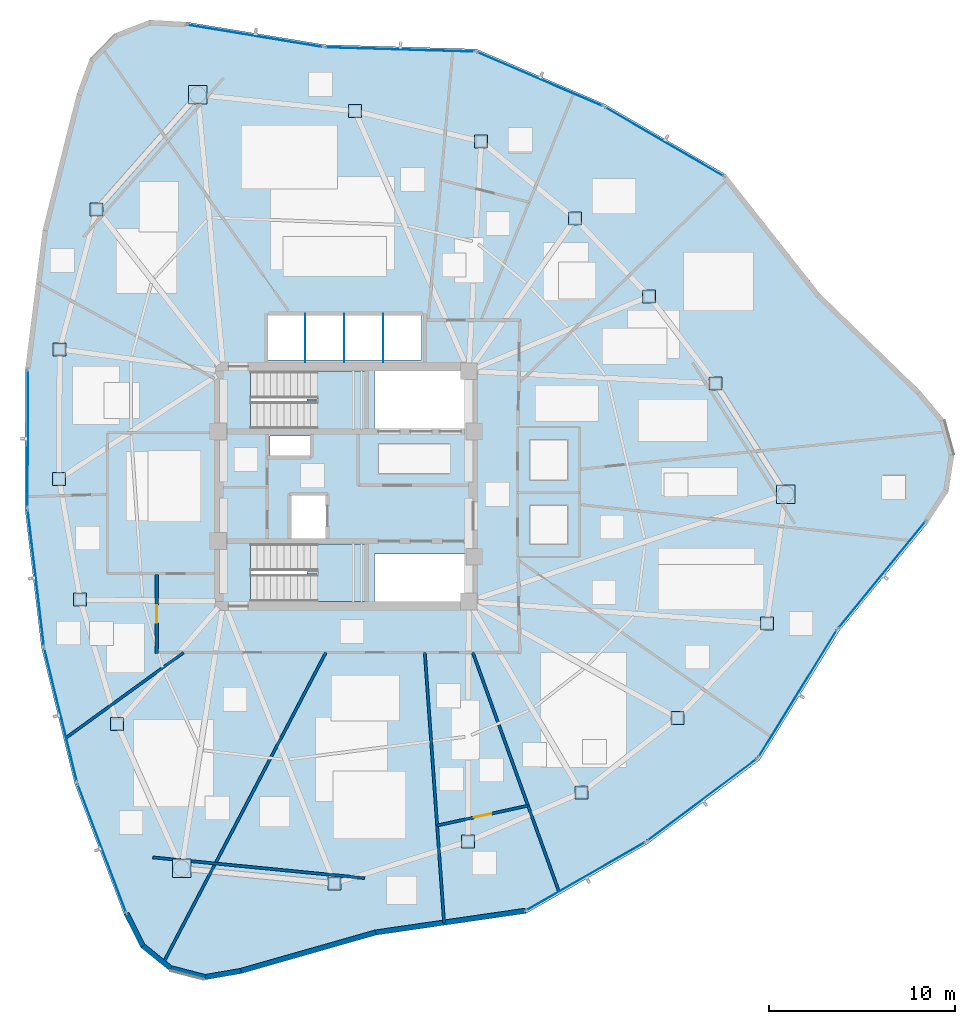
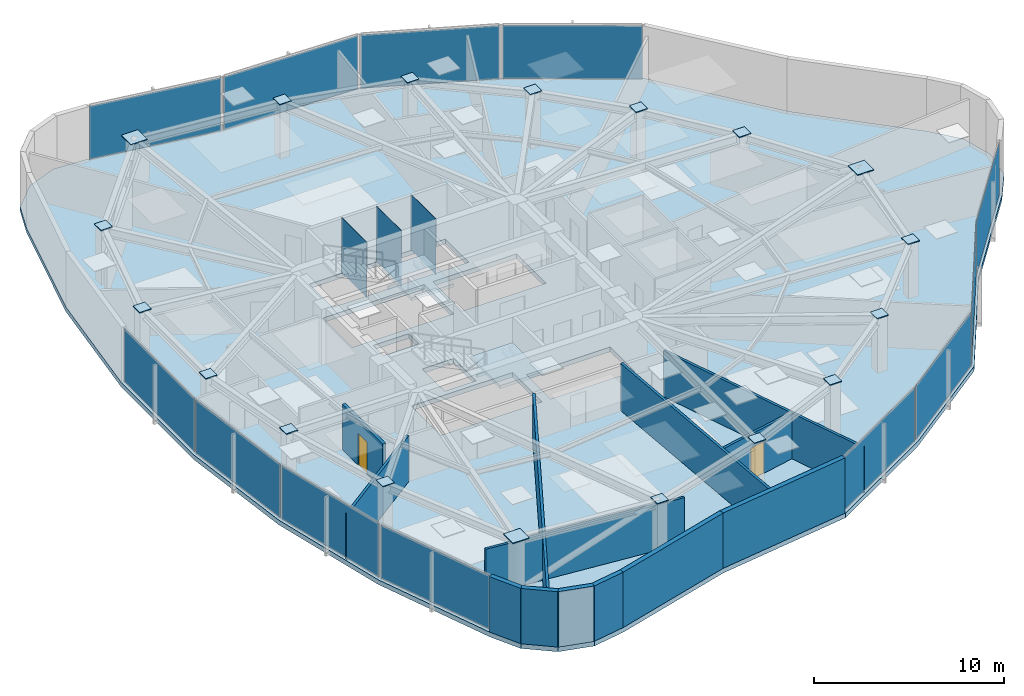
# One storey, part 11 of 18: 33 plates, 13 walls, 3 slabs, 2 doors, 2 openings, 14 elements without a shape of their own.
"""IFC4 building model written with IfcOpenShell, lengths in metres."""

from ifc_helpers import new_model, si_unit, direction, frame, frame_2d, origin, origin_2d, place, context, subcontext, project, spatial, polyline, rectangle, outline, extrude, source, transform, mapped, material, layer, layer_set, type_object, type_shapes, element, fill, aggregate, save


model = new_model("IFC4")

# Units and contexts
model_context = context("Model", 3, precision=1e-05, world=origin(), true_north=direction((0.0, 1.0)))
body_context = subcontext(model_context, "Body", "Model", "MODEL_VIEW")
ifc_project = project(units=[si_unit("LENGTHUNIT", "METRE"), si_unit("AREAUNIT", "SQUARE_METRE"), si_unit("VOLUMEUNIT", "CUBIC_METRE"), si_unit("PLANEANGLEUNIT", "RADIAN"), si_unit("MASSUNIT", "GRAM", prefix="KILO")], contexts=[model_context])

# Site, building, storey
site_placement = place(None, origin())
site = spatial("IfcSite", under=ifc_project, at=site_placement, CompositionType="ELEMENT")
building_placement = place(site_placement, origin())
building = spatial("IfcBuilding", under=site, at=building_placement, Name="Tavelor Broadcast Tower", CompositionType="ELEMENT")
storey_placement = place(building_placement, frame((0.0, 0.0, 173.35009765625)))
storey = spatial("IfcBuildingStorey", under=building, at=storey_placement, Name="L41", CompositionType="ELEMENT", Elevation=173.35009765625)

# Stair, slab
ifc_material_1 = material(Name="Concrete C40/50", Category="concrete")
stair_type = type_object("IfcStairType", Name="Reinforced Concrete Protected Dogleg Stair 1450 mm", PredefinedType="HALF_TURN_STAIR", material=ifc_material_1)
stair_1_placement = place(storey_placement, origin())
stair_1 = element("IfcStair", 1, at=stair_1_placement, inside=storey, type_object=stair_type, Name="L41 Protected Core Exit Stair ST1", PredefinedType="HALF_TURN_STAIR")
ifc_layer_1 = layer(ifc_material_1, 0.199951171875)
ifc_layer_set_1 = layer_set([ifc_layer_1], Name="Concrete C40/50")
slab_type_1 = type_object("IfcSlabType", Name="Reinforced Concrete Stair Half-Landing Slab 200 mm", PredefinedType="LANDING", material=ifc_layer_set_1)
slab_1_placement = place(storey_placement, frame((0.0, 0.0, 1.724853515625)))
slab_1 = element("IfcSlab", 2, at=slab_1_placement, type_object=slab_type_1, Name="ST1 landing 1", PredefinedType="LANDING", context=body_context, shape_type="SweptSolid", body=[
    extrude(outline(polyline([(48.445068359375, 49.590087890625), (48.445068359375, 48.094970703125), (51.0048828125, 48.094970703125), (51.0048828125, 51.205078125), (48.445068359375, 51.205078125), (48.445068359375, 49.7099609375), (47.905029296875, 49.7099609375), (47.905029296875, 49.590087890625), (48.445068359375, 49.590087890625)])), origin(), (0.0, 0.0, 1.0), 0.199951171875),
])
aggregate(stair_1, [slab_1])

stair_2_placement = place(storey_placement, origin())
stair_2 = element("IfcStair", 3, at=stair_2_placement, inside=storey, type_object=stair_type, Name="L41 Protected Core Exit Stair ST2", PredefinedType="HALF_TURN_STAIR")
slab_2_placement = place(storey_placement, frame((0.0, 0.0, 1.724853515625)))
slab_2 = element("IfcSlab", 4, at=slab_2_placement, type_object=slab_type_1, Name="ST2 landing 1", PredefinedType="LANDING", context=body_context, shape_type="SweptSolid", body=[
    extrude(outline(polyline([(48.445068359375, 40.2900390625), (48.445068359375, 38.794921875), (51.0048828125, 38.794921875), (51.0048828125, 41.905029296875), (48.445068359375, 41.905029296875), (48.445068359375, 40.409912109375), (47.905029296875, 40.409912109375), (47.905029296875, 40.2900390625), (48.445068359375, 40.2900390625)])), origin(), (0.0, 0.0, 1.0), 0.199951171875),
])
aggregate(stair_2, [slab_2])

# Slab
ifc_layer_2 = layer(ifc_material_1, 0.300048828125)
ifc_layer_set_2 = layer_set([ifc_layer_2], Name="Concrete C40/50")
slab_type_2 = type_object("IfcSlabType", Name="Tower Composite Floor Slab 300 mm", PredefinedType="FLOOR", material=ifc_layer_set_2)
slab_3_placement = place(storey_placement, frame((0.0, 0.0, -0.300048828125)))
element("IfcSlab", 5, at=slab_3_placement, inside=storey, type_object=slab_type_2, Name="L41 Structural Floor Slab", PredefinedType="FLOOR", context=body_context, shape_type="SweptSolid", body=[
    extrude(outline(polyline([(41.39990234375, 70.001220703125), (39.42236328125, 70.110107421875), (37.5751953125, 69.3955078125), (36.185791015625, 67.98388671875), (35.50048828125, 66.1259765625), (33.6669921875, 58.81396484375), (32.731689453125, 51.333740234375), (32.708740234375, 43.79541015625), (33.59814453125, 36.309814453125), (35.38671875, 28.986572265625), (38.048583984375, 21.933837890625), (38.943115234375, 20.166748046875), (40.4853515625, 18.924560546875), (42.40234375, 18.427001953125), (44.354248046875, 18.76220703125), (51.603271484375, 20.83056640625), (59.701904296875, 22.005615234375), (66.24169921875, 25.754638671875), (72.27978515625, 30.267822265625), (76.57470703125, 37.233642578125), (81.351806640625, 43.065185546875), (82.434814453125, 44.72314453125), (82.739501953125, 46.68017578125), (82.2119140625, 48.589111328125), (80.9453125, 50.11181640625), (75.52978515625, 55.355712890625), (70.462890625, 61.781494140625), (63.946044921875, 65.57080078125), (57.0185546875, 68.54345703125), (48.838623046875, 68.77978515625), (41.39990234375, 70.001220703125)]), holes=[polyline([(56.60009765625, 41.35009765625), (56.60009765625, 38.800048828125), (51.52001953125, 38.800048828125), (51.52001953125, 41.35009765625), (56.60009765625, 41.35009765625)]), polyline([(50.99609375, 38.803955078125), (44.85400390625, 38.803955078125), (44.85400390625, 41.89599609375), (50.99609375, 41.89599609375), (50.99609375, 38.803955078125)]), polyline([(47.050048828125, 42.199951171875), (47.050048828125, 44.550048828125), (48.949951171875, 44.550048828125), (48.949951171875, 42.199951171875), (47.050048828125, 42.199951171875)]), polyline([(48.050048828125, 46.64990234375), (45.89990234375, 46.64990234375), (45.89990234375, 47.699951171875), (48.050048828125, 47.699951171875), (48.050048828125, 46.64990234375)]), polyline([(50.99609375, 48.10400390625), (44.85400390625, 48.10400390625), (44.85400390625, 51.196044921875), (50.99609375, 51.196044921875), (50.99609375, 48.10400390625)]), polyline([(56.60009765625, 48.10009765625), (51.52001953125, 48.10009765625), (51.52001953125, 51.199951171875), (56.60009765625, 51.199951171875), (56.60009765625, 48.10009765625)]), polyline([(54.050048828125, 51.800048828125), (45.800048828125, 51.800048828125), (45.800048828125, 54.25), (54.050048828125, 54.25), (54.050048828125, 51.800048828125)])]), origin(), (0.0, 0.0, 1.0), 0.300048828125),
])

# Plates
ifc_material_2 = material(Name="Steel S460", Category="steel")
ifc_layer_3 = layer(ifc_material_2, 0.050048828125)
ifc_layer_set_3 = layer_set([ifc_layer_3], Name="Steel S460")
plate_type_1 = type_object("IfcPlateType", Name="Tube Hollow-End Cap Plate KN05 700x700x50", PredefinedType="USERDEFINED", material=ifc_layer_set_3)
shared_shape_1 = source(origin(), body_context, "Body", "SweptSolid", [
    extrude(rectangle(XDim=0.699951171875, YDim=0.699951171875, at=origin_2d()), origin(), (0.0, 0.0, 1.0), 0.054931640625),
])
for number, where, z_axis, x_axis, name in (
    (6, (36.567626953125, 59.91064453125, 3.5224609375), (0.0, 0.0, 1.0), (1.0, 0.0, 0.0), "L41 Hollow End Cap Plate KN05 #1180"),
    (7, (34.5751953125, 52.37939453125, 3.5224609375), (0.0, 0.0, 1.0), (1.0, 0.0, 0.0), "L41 Hollow End Cap Plate KN05 #1181"),
    (8, (34.54638671875, 45.399169921875, 3.5224609375), (0.0, 0.0, 1.0), (1.0, 0.0, 0.0), "L41 Hollow End Cap Plate KN05 #1182"),
    (9, (35.680908203125, 38.89990234375, 3.5224609375), (0.0, 0.0, 1.0), (1.0, 0.0, 0.0), "L41 Hollow End Cap Plate KN05 #1183"),
    (10, (37.668212890625, 32.1904296875, 3.5224609375), (0.0, 0.0, 1.0), (1.0, 0.0, 0.0), "L41 Hollow End Cap Plate KN05 #1184"),
    (11, (49.366455078125, 23.618896484375, 3.5224609375), (0.0, 0.0, 1.0), (1.0, 0.0, 0.0), "L41 Hollow End Cap Plate KN05 #1186"),
    (12, (56.56103515625, 25.872802734375, 3.5224609375), (0.0, 0.0, 1.0), (1.0, 0.0, 0.0), "L41 Hollow End Cap Plate KN05 #1187"),
    (13, (62.669189453125, 28.503173828125, 3.5224609375), (0.0, 0.0, 1.0), (1.0, 0.0, 0.0), "L41 Hollow End Cap Plate KN05 #1188"),
    (14, (67.84228515625, 32.53173828125, 3.5224609375), (0.0, 0.0, 1.0), (1.0, 0.0, 0.0), "L41 Hollow End Cap Plate KN05 #1189"),
    (15, (72.6591796875, 37.607421875, 3.5224609375), (0.0, 0.0, 1.0), (1.0, 0.0, 0.0), "L41 Hollow End Cap Plate KN05 #1190"),
    (16, (69.885986328125, 50.544189453125, 3.5224609375), (0.0, 0.0, 1.0), (1.0, 0.0, 0.0), "L41 Hollow End Cap Plate KN05 #1192"),
    (17, (66.322021484375, 55.228759765625, 3.5224609375), (0.0, 0.0, 1.0), (1.0, 0.0, 0.0), "L41 Hollow End Cap Plate KN05 #1193"),
    (18, (62.330810546875, 59.416259765625, 3.5224609375), (0.0, 0.0, 1.0), (1.0, 0.0, 0.0), "L41 Hollow End Cap Plate KN05 #1194"),
    (19, (57.276611328125, 63.568359375, 3.5224609375), (0.0, 0.0, 1.0), (1.0, 0.0, 0.0), "L41 Hollow End Cap Plate KN05 #1195"),
    (20, (50.472412109375, 65.2021484375, 3.5224609375), (0.0, 0.0, 1.0), (1.0, 0.0, 0.0), "L41 Hollow End Cap Plate KN05 #1196"),
):
    element("IfcPlate", number, at=place(storey_placement, frame(where, z_axis=z_axis, x_axis=x_axis)), inside=storey, type_object=plate_type_1, Name=name, ObjectType="CAP PLATE", PredefinedType="USERDEFINED", context=body_context, shape_type="MappedRepresentation", body=[
        mapped(shared_shape_1, transform((0.0, 0.0, 0.0), scale=1.0)),
    ])
shared_shape_2 = source(origin(), body_context, "Body", "SweptSolid", [
    extrude(rectangle(XDim=0.993896484375, YDim=0.993896484375, at=origin_2d()), origin(), (0.0, 0.0, 1.0), 0.054931640625),
])
type_shapes(plate_type_1, [shared_shape_1, shared_shape_2])
for number, where, z_axis, x_axis, name in (
    (21, (42.01123046875, 66.080078125, 3.5224609375), (0.0, 0.0, 1.0), (1.0, 0.0, 0.0), "L41 Hollow End Cap Plate KN05 #1179"),
    (22, (41.138671875, 24.423828125, 3.5224609375), (0.0, 0.0, 1.0), (1.0, 0.0, 0.0), "L41 Hollow End Cap Plate KN05 #1185"),
    (23, (73.676025390625, 44.57958984375, 3.5224609375), (0.0, 0.0, 1.0), (1.0, 0.0, 0.0), "L41 Hollow End Cap Plate KN05 #1191"),
):
    element("IfcPlate", number, at=place(storey_placement, frame(where, z_axis=z_axis, x_axis=x_axis)), inside=storey, type_object=plate_type_1, Name=name, ObjectType="CAP PLATE", PredefinedType="USERDEFINED", context=body_context, shape_type="MappedRepresentation", body=[
        mapped(shared_shape_2, transform((0.0, 0.0, 0.0), scale=1.0)),
    ])
ifc_material_3 = material(Name="Steel S355", Category="steel")
ifc_layer_4 = layer(ifc_material_3, 0.011962890625)
ifc_layer_set_4 = layer_set([ifc_layer_4], Name="Steel S355")
plate_type_2 = type_object("IfcPlateType", Name="Hoistway Steel Separator Screen 12 mm", PredefinedType="SHEET", material=ifc_layer_set_4)
shared_shape_3 = source(origin(), body_context, "Body", "SweptSolid", [
    extrude(rectangle(XDim=0.02001953125, YDim=2.6201171875, at=origin_2d()), origin(), (0.0, 0.0, 1.0), 3.550048828125),
])
type_shapes(plate_type_2, [shared_shape_3])
for number, where, z_axis, x_axis, name in (
    (24, (47.800048828125, 52.989990234375, 0.0), (0.0, 0.0, 1.0), (1.0, 0.0, 0.0), "L41 High-Rise Hoistway Separator Screen 1"),
    (25, (49.89990234375, 52.989990234375, 0.0), (0.0, 0.0, 1.0), (1.0, 0.0, 0.0), "L41 High-Rise Hoistway Separator Screen 2"),
    (26, (52.0, 52.989990234375, 0.0), (0.0, 0.0, 1.0), (1.0, 0.0, 0.0), "L41 High-Rise Hoistway Separator Screen 3"),
):
    element("IfcPlate", number, at=place(storey_placement, frame(where, z_axis=z_axis, x_axis=x_axis)), inside=storey, type_object=plate_type_2, Name=name, PredefinedType="SHEET", context=body_context, shape_type="MappedRepresentation", body=[
        mapped(shared_shape_3, transform((0.0, 0.0, 0.0), scale=1.0)),
    ])

# Curtain wall, plate
ifc_material_4 = material(Name="Architectural Anodized Aluminium", Category="aluminium")
ifc_layer_5 = layer(ifc_material_4, 0.18994140625)
ifc_layer_set_5 = layer_set([ifc_layer_5], Name="Architectural Anodized Aluminium")
curtain_wall_type = type_object("IfcCurtainWallType", Name="Tower Mid-Zone Acoustic Curtain Wall CW03", PredefinedType="NOTDEFINED", material=ifc_layer_set_5)
curtain_wall_1_placement = place(storey_placement, origin())
curtain_wall_1 = element("IfcCurtainWall", 27, at=curtain_wall_1_placement, inside=storey, type_object=curtain_wall_type, Name="L41 Curtain Wall CW03 Run 440", PredefinedType="NOTDEFINED")
ifc_material_5 = material(Name="Solar Control Double Glazing 30 mm", Category="glass")
ifc_layer_6 = layer(ifc_material_5, 0.030029296875)
ifc_layer_set_6 = layer_set([ifc_layer_6], Name="Solar Control Double Glazing 30 mm")
plate_type_3 = type_object("IfcPlateType", Name="CW03 Insulated Vision Glazing Panel 30 mm", PredefinedType="CURTAIN_PANEL", material=ifc_layer_set_6)
shared_shape_4 = source(origin(), body_context, "Body", "SweptSolid", [
    extrude(rectangle(XDim=7.38916015625, YDim=0.030029296875, at=origin_2d()), origin(), (0.0, 0.0, 1.0), 3.4140625),
])
plate_1_placement = place(storey_placement, frame((78.854248046875, 40.2373046875, 0.06787109375), z_axis=(0.0, 0.0, 1.0), x_axis=(0.633700809689, 0.773578233794, 0.0)))
plate_1 = element("IfcPlate", 28, at=plate_1_placement, type_object=plate_type_3, Name="CW03 panel 1.1", PredefinedType="CURTAIN_PANEL", context=body_context, shape_type="MappedRepresentation", body=[
    mapped(shared_shape_4, transform((0.0, 0.0, 0.0), scale=1.0)),
])
aggregate(curtain_wall_1, [plate_1])

curtain_wall_2_placement = place(storey_placement, origin())
curtain_wall_2 = element("IfcCurtainWall", 29, at=curtain_wall_2_placement, inside=storey, type_object=curtain_wall_type, Name="L41 Curtain Wall CW03 Run 444", PredefinedType="NOTDEFINED")
plate_2_placement = place(storey_placement, frame((45.097412109375, 69.252197265625, 0.06787109375), z_axis=(0.0, 0.0, 1.0), x_axis=(-0.98679039171, 0.162002230938, 0.0)))
plate_2 = element("IfcPlate", 30, at=plate_2_placement, type_object=plate_type_3, Name="CW03 panel 1.1", PredefinedType="CURTAIN_PANEL", context=body_context, shape_type="MappedRepresentation", body=[
    mapped(shared_shape_4, transform((0.0, 0.0, 0.0), scale=1.0)),
])
aggregate(curtain_wall_2, [plate_2])

curtain_wall_3_placement = place(storey_placement, origin())
curtain_wall_3 = element("IfcCurtainWall", 31, at=curtain_wall_3_placement, inside=storey, type_object=curtain_wall_type, Name="L41 Curtain Wall CW03 Run 433", PredefinedType="NOTDEFINED")
shared_shape_5 = source(origin(), body_context, "Body", "SweptSolid", [
    extrude(rectangle(XDim=7.370361328125, YDim=0.030029296875, at=origin_2d()), origin(), (0.0, 0.0, 1.0), 3.4140625),
])
plate_3_placement = place(storey_placement, frame((32.8603515625, 47.57177734375, 0.06787109375), z_axis=(0.0, 0.0, 1.0), x_axis=(-0.003064037627, -0.999995305826, 0.0)))
plate_3 = element("IfcPlate", 32, at=plate_3_placement, type_object=plate_type_3, Name="CW03 panel 1.1", PredefinedType="CURTAIN_PANEL", context=body_context, shape_type="MappedRepresentation", body=[
    mapped(shared_shape_5, transform((0.0, 0.0, 0.0), scale=1.0)),
])
aggregate(curtain_wall_3, [plate_3])

curtain_wall_4_placement = place(storey_placement, origin())
curtain_wall_4 = element("IfcCurtainWall", 33, at=curtain_wall_4_placement, inside=storey, type_object=curtain_wall_type, Name="L41 Curtain Wall CW03 Run 434", PredefinedType="NOTDEFINED")
shared_shape_6 = source(origin(), body_context, "Body", "SweptSolid", [
    extrude(rectangle(XDim=7.355224609375, YDim=0.030029296875, at=origin_2d()), origin(), (0.0, 0.0, 1.0), 3.4140625),
])
plate_4_placement = place(storey_placement, frame((33.29248046875, 40.069091796875, 0.06787109375), z_axis=(0.0, 0.0, 1.0), x_axis=(0.117976592737, -0.993016376283, 0.0)))
plate_4 = element("IfcPlate", 34, at=plate_4_placement, type_object=plate_type_3, Name="CW03 panel 1.1", PredefinedType="CURTAIN_PANEL", context=body_context, shape_type="MappedRepresentation", body=[
    mapped(shared_shape_6, transform((0.0, 0.0, 0.0), scale=1.0)),
])
aggregate(curtain_wall_4, [plate_4])

curtain_wall_5_placement = place(storey_placement, origin())
curtain_wall_5 = element("IfcCurtainWall", 35, at=curtain_wall_5_placement, inside=storey, type_object=curtain_wall_type, Name="L41 Curtain Wall CW03 Run 435", PredefinedType="NOTDEFINED")
shared_shape_7 = source(origin(), body_context, "Body", "SweptSolid", [
    extrude(rectangle(XDim=7.35546875, YDim=0.030029296875, at=origin_2d()), origin(), (0.0, 0.0, 1.0), 3.4140625),
])
plate_5_placement = place(storey_placement, frame((34.62841796875, 32.681396484375, 0.06787109375), z_axis=(0.0, 0.0, 1.0), x_axis=(0.237271144939, -0.971443464016, 0.0)))
plate_5 = element("IfcPlate", 36, at=plate_5_placement, type_object=plate_type_3, Name="CW03 panel 1.1", PredefinedType="CURTAIN_PANEL", context=body_context, shape_type="MappedRepresentation", body=[
    mapped(shared_shape_7, transform((0.0, 0.0, 0.0), scale=1.0)),
])
aggregate(curtain_wall_5, [plate_5])

curtain_wall_6_placement = place(storey_placement, origin())
curtain_wall_6 = element("IfcCurtainWall", 37, at=curtain_wall_6_placement, inside=storey, type_object=curtain_wall_type, Name="L41 Curtain Wall CW03 Run 436", PredefinedType="NOTDEFINED")
shared_shape_8 = source(origin(), body_context, "Body", "SweptSolid", [
    extrude(rectangle(XDim=7.371337890625, YDim=0.030029296875, at=origin_2d()), origin(), (0.0, 0.0, 1.0), 3.4140625),
])
plate_6_placement = place(storey_placement, frame((36.8515625, 25.502197265625, 0.06787109375), z_axis=(0.0, 0.0, 1.0), x_axis=(0.353086072492, -0.93559084295, 0.0)))
plate_6 = element("IfcPlate", 38, at=plate_6_placement, type_object=plate_type_3, Name="CW03 panel 1.1", PredefinedType="CURTAIN_PANEL", context=body_context, shape_type="MappedRepresentation", body=[
    mapped(shared_shape_8, transform((0.0, 0.0, 0.0), scale=1.0)),
])
aggregate(curtain_wall_6, [plate_6])

curtain_wall_7_placement = place(storey_placement, origin())
curtain_wall_7 = element("IfcCurtainWall", 39, at=curtain_wall_7_placement, inside=storey, type_object=curtain_wall_type, Name="L41 Curtain Wall CW03 Run 437", PredefinedType="NOTDEFINED")
shared_shape_9 = source(origin(), body_context, "Body", "SweptSolid", [
    extrude(rectangle(XDim=7.352294921875, YDim=0.030029296875, at=origin_2d()), origin(), (0.0, 0.0, 1.0), 3.4140625),
])
plate_7_placement = place(storey_placement, frame((62.903564453125, 24.00244140625, 0.06787109375), z_axis=(0.0, 0.0, 1.0), x_axis=(0.867547868765, 0.497353692457, 0.0)))
plate_7 = element("IfcPlate", 40, at=plate_7_placement, type_object=plate_type_3, Name="CW03 panel 1.1", PredefinedType="CURTAIN_PANEL", context=body_context, shape_type="MappedRepresentation", body=[
    mapped(shared_shape_9, transform((0.0, 0.0, 0.0), scale=1.0)),
])
aggregate(curtain_wall_7, [plate_7])

curtain_wall_8_placement = place(storey_placement, origin())
curtain_wall_8 = element("IfcCurtainWall", 41, at=curtain_wall_8_placement, inside=storey, type_object=curtain_wall_type, Name="L41 Curtain Wall CW03 Run 441", PredefinedType="NOTDEFINED")
plate_8_placement = place(storey_placement, frame((67.1328125, 63.555908203125, 0.06787109375), z_axis=(0.0, 0.0, 1.0), x_axis=(-0.864496795707, 0.502638329431, 0.0)))
plate_8 = element("IfcPlate", 42, at=plate_8_placement, type_object=plate_type_3, Name="CW03 panel 1.1", PredefinedType="CURTAIN_PANEL", context=body_context, shape_type="MappedRepresentation", body=[
    mapped(shared_shape_9, transform((0.0, 0.0, 0.0), scale=1.0)),
])
aggregate(curtain_wall_8, [plate_8])

curtain_wall_9_placement = place(storey_placement, origin())
curtain_wall_9 = element("IfcCurtainWall", 43, at=curtain_wall_9_placement, inside=storey, type_object=curtain_wall_type, Name="L41 Curtain Wall CW03 Run 438", PredefinedType="NOTDEFINED")
shared_shape_10 = source(origin(), body_context, "Body", "SweptSolid", [
    extrude(rectangle(XDim=7.337158203125, YDim=0.030029296875, at=origin_2d()), origin(), (0.0, 0.0, 1.0), 3.4140625),
])
plate_9_placement = place(storey_placement, frame((69.169677734375, 28.117919921875, 0.06787109375), z_axis=(0.0, 0.0, 1.0), x_axis=(0.800983242065, 0.598686767794, 0.0)))
plate_9 = element("IfcPlate", 44, at=plate_9_placement, type_object=plate_type_3, Name="CW03 panel 1.1", PredefinedType="CURTAIN_PANEL", context=body_context, shape_type="MappedRepresentation", body=[
    mapped(shared_shape_10, transform((0.0, 0.0, 0.0), scale=1.0)),
])
aggregate(curtain_wall_9, [plate_9])

curtain_wall_10_placement = place(storey_placement, origin())
curtain_wall_10 = element("IfcCurtainWall", 45, at=curtain_wall_10_placement, inside=storey, type_object=curtain_wall_type, Name="L41 Curtain Wall CW03 Run 442", PredefinedType="NOTDEFINED")
plate_10_placement = place(storey_placement, frame((60.435302734375, 66.9248046875, 0.06787109375), z_axis=(0.0, 0.0, 1.0), x_axis=(-0.918963595025, 0.394342377913, 0.0)))
plate_10 = element("IfcPlate", 46, at=plate_10_placement, type_object=plate_type_3, Name="CW03 panel 1.1", PredefinedType="CURTAIN_PANEL", context=body_context, shape_type="MappedRepresentation", body=[
    mapped(shared_shape_10, transform((0.0, 0.0, 0.0), scale=1.0)),
])
aggregate(curtain_wall_10, [plate_10])

curtain_wall_11_placement = place(storey_placement, origin())
curtain_wall_11 = element("IfcCurtainWall", 47, at=curtain_wall_11_placement, inside=storey, type_object=curtain_wall_type, Name="L41 Curtain Wall CW03 Run 439", PredefinedType="NOTDEFINED")
shared_shape_11 = source(origin(), body_context, "Body", "SweptSolid", [
    extrude(rectangle(XDim=8.0, YDim=0.030029296875, at=origin_2d()), origin(), (0.0, 0.0, 1.0), 3.4140625),
])
type_shapes(plate_type_3, [shared_shape_4, shared_shape_5, shared_shape_6, shared_shape_7, shared_shape_8, shared_shape_9, shared_shape_10, shared_shape_11])
plate_11_placement = place(storey_placement, frame((74.317626953125, 33.839599609375, 0.06787109375), z_axis=(0.0, 0.0, 1.0), x_axis=(0.524809746023, 0.851219554803, 0.0)))
plate_11 = element("IfcPlate", 48, at=plate_11_placement, type_object=plate_type_3, Name="CW03 panel 1.1", PredefinedType="CURTAIN_PANEL", context=body_context, shape_type="MappedRepresentation", body=[
    mapped(shared_shape_11, transform((0.0, 0.0, 0.0), scale=1.0)),
])
aggregate(curtain_wall_11, [plate_11])

curtain_wall_12_placement = place(storey_placement, origin())
curtain_wall_12 = element("IfcCurtainWall", 49, at=curtain_wall_12_placement, inside=storey, type_object=curtain_wall_type, Name="L41 Curtain Wall CW03 Run 443", PredefinedType="NOTDEFINED")
plate_12_placement = place(storey_placement, frame((52.906494140625, 68.522216796875, 0.06787109375), z_axis=(0.0, 0.0, 1.0), x_axis=(-0.999582770471, 0.028883991712, 0.0)))
plate_12 = element("IfcPlate", 50, at=plate_12_placement, type_object=plate_type_3, Name="CW03 panel 1.1", PredefinedType="CURTAIN_PANEL", context=body_context, shape_type="MappedRepresentation", body=[
    mapped(shared_shape_11, transform((0.0, 0.0, 0.0), scale=1.0)),
])
aggregate(curtain_wall_12, [plate_12])

# Wall, opening, door
ifc_material_6 = material(Name="Calcium Silicate Fire Board 180 mm", Category="gypsum")
ifc_layer_7 = layer(ifc_material_6, 0.179931640625)
ifc_layer_set_7 = layer_set([ifc_layer_7], Name="Calcium Silicate Fire Board 180 mm")
wall_type_1 = type_object("IfcWallType", Name="Fire-Rated Corridor Partition Wall 180 mm", PredefinedType="PARTITIONING", material=ifc_layer_set_7)
wall_1_placement = place(storey_placement, frame((39.800048828125, 36.0, 0.0), z_axis=(0.0, 0.0, 1.0), x_axis=(0.0, 1.0, 0.0)))
wall_1 = element("IfcWall", 51, at=wall_1_placement, inside=storey, type_object=wall_type_1, Name="L41 Corridor Compartment Wall 05", PredefinedType="PARTITIONING", context=body_context, shape_type="SweptSolid", body=[
    extrude(rectangle(XDim=4.25, YDim=0.179931640625, at=frame_2d((2.125, 0.0))), origin(), (0.0, 0.0, 1.0), 2.934814453125),
])
opening_1_placement = place(wall_1_placement, frame((1.64990234375, 0.0, 0.0)))
opening_1 = element("IfcOpeningElement", 52, at=opening_1_placement, cuts=wall_1, Name="Opening DR18", PredefinedType="OPENING", context=body_context, shape_type="SweptSolid", body=[
    extrude(rectangle(XDim=0.949951171875, YDim=2.050048828125, at=frame_2d((0.47509765625, 1.02490234375))), frame((0.0, 0.10009765625, 0.0), z_axis=(0.0, -1.0, 0.0), x_axis=(1.0, 0.0, 0.0)), (0.0, 0.0, 1.0), 0.199951171875),
])
ifc_material_7 = material(Name="Timber Solid Core Hardwood", Category="wood")
door_type_1 = type_object("IfcDoorType", Name="Corridor Rated Compartment Door 950x2050", OperationType="NOTDEFINED", PredefinedType="DOOR", material=ifc_material_7)
door_1_placement = place(opening_1_placement, origin())
door_1 = element("IfcDoor", 53, at=door_1_placement, inside=storey, type_object=door_type_1, Name="L41 Broadcast Editorial Office Door R4", OperationType="SINGLE_SWING_LEFT", OverallHeight=2.050048828125, OverallWidth=0.949951171875, PredefinedType="DOOR", context=body_context, shape_type="SweptSolid", body=[
    extrude(rectangle(XDim=0.949951171875, YDim=2.050048828125, at=frame_2d((0.47509765625, 1.02490234375))), frame((0.0, 0.02490234375, 0.0), z_axis=(0.0, -1.0, 0.0), x_axis=(1.0, 0.0, 0.0)), (0.0, 0.0, 1.0), 0.050048828125),
])
fill(opening_1, door_1)

# Walls
ifc_material_8 = material(Name="Precast Concrete C40/50", Category="concrete")
ifc_layer_8 = layer(ifc_material_8, 0.280029296875)
ifc_layer_set_8 = layer_set([ifc_layer_8], Name="Precast Concrete C40/50")
wall_type_2 = type_object("IfcWallType", Name="Insulated Precast Terracotta Facade Wall 280 mm", PredefinedType="STANDARD", material=ifc_layer_set_8)
wall_2_placement = place(storey_placement, frame((38.175048828125, 21.993896484375, 0.0), z_axis=(0.0, 0.0, 1.0), x_axis=(0.451588479139, -0.892226342084, 0.0)))
element("IfcWall", 54, at=wall_2_placement, inside=storey, type_object=wall_type_2, Name="L41 Rounded Corner Structural Cladding Pier 11", PredefinedType="STANDARD", context=body_context, shape_type="SweptSolid", body=[
    extrude(rectangle(XDim=1.9619140625, YDim=0.280029296875, at=frame_2d((0.98095703125, 0.0))), origin(), (0.0, 0.0, 1.0), 3.5498046875),
])
for number, where, z_axis, x_axis, name in (
    (55, (39.04248046875, 20.266357421875, 0.0), (0.0, 0.0, 1.0), (0.778775993183, -0.627302122141, 0.0), "L41 Rounded Corner Structural Cladding Pier 12"),
    (56, (40.53515625, 19.05615234375, 0.0), (0.0, 0.0, 1.0), (0.967923645181, -0.251244536456, 0.0), "L41 Rounded Corner Structural Cladding Pier 13"),
):
    element("IfcWall", number, at=place(storey_placement, frame(where, z_axis=z_axis, x_axis=x_axis)), inside=storey, type_object=wall_type_2, Name=name, PredefinedType="STANDARD", context=body_context, shape_type="SweptSolid", body=[
        extrude(rectangle(XDim=1.9501953125, YDim=0.280029296875, at=frame_2d((0.97509765625, 0.0))), origin(), (0.0, 0.0, 1.0), 3.5498046875),
    ])
wall_3_placement = place(storey_placement, frame((42.3935546875, 18.5673828125, 0.0), z_axis=(0.0, 0.0, 1.0), x_axis=(0.985545016895, 0.169413752904, 0.0)))
element("IfcWall", 57, at=wall_3_placement, inside=storey, type_object=wall_type_2, Name="L41 Rounded Corner Structural Cladding Pier 14", PredefinedType="STANDARD", context=body_context, shape_type="SweptSolid", body=[
    extrude(rectangle(XDim=1.972900390625, YDim=0.280029296875, at=frame_2d((0.986328125, 0.0))), origin(), (0.0, 0.0, 1.0), 3.5498046875),
])
wall_4_placement = place(storey_placement, frame((44.30859375, 18.89501953125, 0.0), z_axis=(0.0, 0.0, 1.0), x_axis=(0.961638261427, 0.274320714055, 0.0)))
element("IfcWall", 58, at=wall_4_placement, inside=storey, type_object=wall_type_2, Name="L41 Rounded Corner Structural Cladding Pier 15", PredefinedType="STANDARD", context=body_context, shape_type="SweptSolid", body=[
    extrude(rectangle(XDim=7.5703125, YDim=0.280029296875, at=frame_2d((3.78515625, 0.0))), origin(), (0.0, 0.0, 1.0), 3.5498046875),
])
wall_5_placement = place(storey_placement, frame((51.55908203125, 20.965576171875, 0.0), z_axis=(0.0, 0.0, 1.0), x_axis=(0.989637514737, 0.143588263538, 0.0)))
element("IfcWall", 59, at=wall_5_placement, inside=storey, type_object=wall_type_2, Name="L41 Rounded Corner Structural Cladding Pier 16", PredefinedType="STANDARD", context=body_context, shape_type="SweptSolid", body=[
    extrude(rectangle(XDim=8.18505859375, YDim=0.280029296875, at=frame_2d((4.092529296875, 0.0))), origin(), (0.0, 0.0, 1.0), 3.5498046875),
])
ifc_material_9 = material(Name="Gypsum Acoustic Plasterboard 150 mm", Category="gypsum")
ifc_layer_9 = layer(ifc_material_9, 0.14990234375)
ifc_layer_set_9 = layer_set([ifc_layer_9], Name="Gypsum Acoustic Plasterboard 150 mm")
wall_type_3 = type_object("IfcWallType", Name="Interior Acoustic Partition Wall 150 mm", PredefinedType="PARTITIONING", material=ifc_layer_set_9)
wall_6_placement = place(storey_placement, frame((39.589111328125, 25.017578125, 0.0), z_axis=(0.0, 0.0, 1.0), x_axis=(0.99524905582, -0.097361783517, 0.0)))
element("IfcWall", 60, at=wall_6_placement, inside=storey, type_object=wall_type_3, Name="L41 Corner Tube Brace Furring Wall 2", PredefinedType="PARTITIONING", context=body_context, shape_type="SweptSolid", body=[
    extrude(rectangle(XDim=11.467041015625, YDim=0.14990234375, at=frame_2d((5.7333984375, 0.0))), origin(), (0.0, 0.0, 1.0), 2.934814453125),
])
wall_7_placement = place(storey_placement, frame((41.255615234375, 36.050048828125, 0.0), z_axis=(0.0, 0.0, 1.0), x_axis=(-0.80959562295, -0.586988012911, 0.0)))
element("IfcWall", 61, at=wall_7_placement, inside=storey, type_object=wall_type_3, Name="L41 Radial Compartment Wall 03", PredefinedType="PARTITIONING", context=body_context, shape_type="SweptSolid", body=[
    extrude(rectangle(XDim=7.828369140625, YDim=0.14990234375, at=frame_2d((3.9140625, 0.0))), origin(), (0.0, 0.0, 1.0), 2.934814453125),
])
wall_8_placement = place(storey_placement, frame((48.9111328125, 36.050048828125, 0.0), z_axis=(0.0, 0.0, 1.0), x_axis=(-0.46406264492, -0.885802382922, 0.0)))
element("IfcWall", 62, at=wall_8_placement, inside=storey, type_object=wall_type_3, Name="L41 Radial Compartment Wall 04", PredefinedType="PARTITIONING", context=body_context, shape_type="SweptSolid", body=[
    extrude(rectangle(XDim=18.8515625, YDim=0.14990234375, at=frame_2d((9.42578125, 0.0))), origin(), (0.0, 0.0, 1.0), 2.934814453125),
])
wall_9_placement = place(storey_placement, frame((54.23828125, 36.050048828125, 0.0), z_axis=(0.0, 0.0, 1.0), x_axis=(0.071156685637, -0.997465150313, 0.0)))
element("IfcWall", 63, at=wall_9_placement, inside=storey, type_object=wall_type_3, Name="L41 Radial Compartment Wall 05", PredefinedType="PARTITIONING", context=body_context, shape_type="SweptSolid", body=[
    extrude(rectangle(XDim=14.59228515625, YDim=0.14990234375, at=frame_2d((7.296142578125, 0.0))), origin(), (0.0, 0.0, 1.0), 3.02490234375),
])
wall_10_placement = place(storey_placement, frame((56.82421875, 36.050048828125, 0.0), z_axis=(0.0, 0.0, 1.0), x_axis=(0.338931579685, -0.940811024751, 0.0)))
element("IfcWall", 64, at=wall_10_placement, inside=storey, type_object=wall_type_3, Name="L41 Radial Compartment Wall 06", PredefinedType="PARTITIONING", context=body_context, shape_type="SweptSolid", body=[
    extrude(rectangle(XDim=13.694091796875, YDim=0.14990234375, at=frame_2d((6.84716796875, 0.0))), origin(), (0.0, 0.0, 1.0), 2.934814453125),
])

# Wall, opening, door
wall_11_placement = place(storey_placement, frame((54.902587890625, 26.734619140625, 0.0), z_axis=(0.0, 0.0, 1.0), x_axis=(0.976913373729, 0.213635812141, 0.0)))
wall_11 = element("IfcWall", 65, at=wall_11_placement, inside=storey, type_object=wall_type_3, Name="L41 Suite Chord Partition Wall 01", PredefinedType="PARTITIONING", context=body_context, shape_type="SweptSolid", body=[
    extrude(rectangle(XDim=5.0078125, YDim=0.14990234375, at=frame_2d((2.50390625, 0.0))), origin(), (0.0, 0.0, 1.0), 2.934814453125),
])
opening_2_placement = place(wall_11_placement, frame((2.02880859375, 0.0, 0.0)))
opening_2 = element("IfcOpeningElement", 66, at=opening_2_placement, cuts=wall_11, Name="Opening DR23", PredefinedType="OPENING", context=body_context, shape_type="SweptSolid", body=[
    extrude(rectangle(XDim=0.949951171875, YDim=2.050048828125, at=frame_2d((0.47509765625, 1.02490234375))), frame((0.0, 0.0849609375, 0.0), z_axis=(0.0, -1.0, 0.0), x_axis=(1.0, 0.0, 0.0)), (0.0, 0.0, 1.0), 0.169921875),
])
door_type_2 = type_object("IfcDoorType", Name="Editorial Room Acoustic Door 950x2050", OperationType="NOTDEFINED", PredefinedType="DOOR", material=ifc_material_7)
door_2_placement = place(opening_2_placement, origin())
door_2 = element("IfcDoor", 67, at=door_2_placement, inside=storey, type_object=door_type_2, Name="L41 Outer Suite Partition Door 1", OperationType="SINGLE_SWING_RIGHT", OverallHeight=2.050048828125, OverallWidth=0.949951171875, PredefinedType="DOOR", context=body_context, shape_type="SweptSolid", body=[
    extrude(rectangle(XDim=0.949951171875, YDim=2.050048828125, at=frame_2d((0.47509765625, 1.02490234375))), frame((0.0, 0.02490234375, 0.0), z_axis=(0.0, -1.0, 0.0), x_axis=(1.0, 0.0, 0.0)), (0.0, 0.0, 1.0), 0.050048828125),
])
fill(opening_2, door_2)

save(model, "model.ifc")
